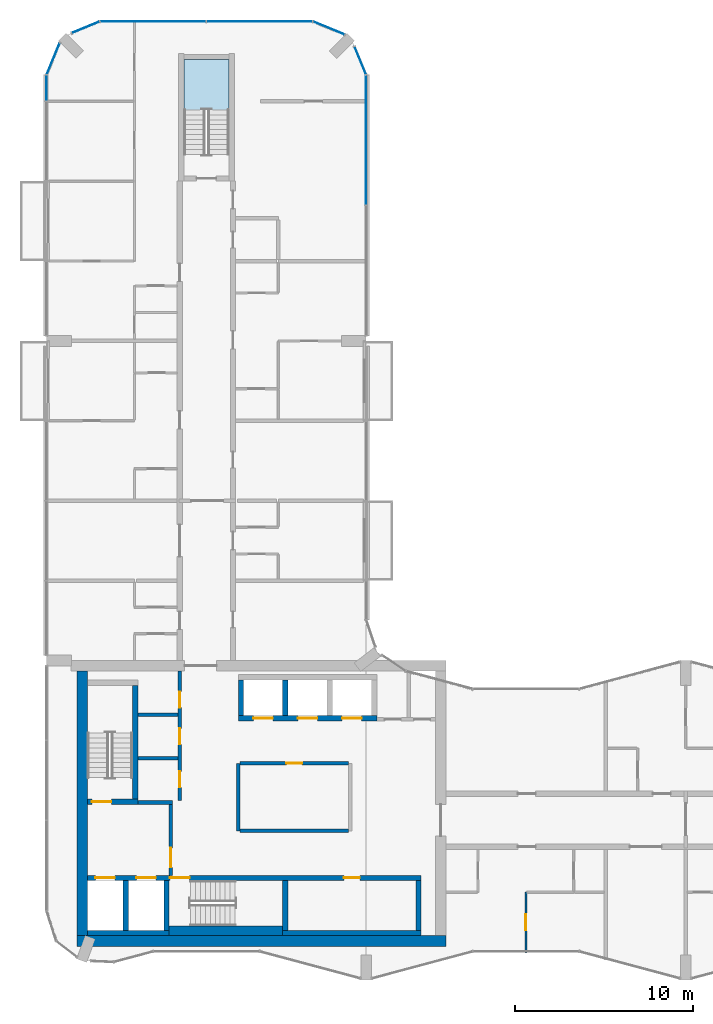
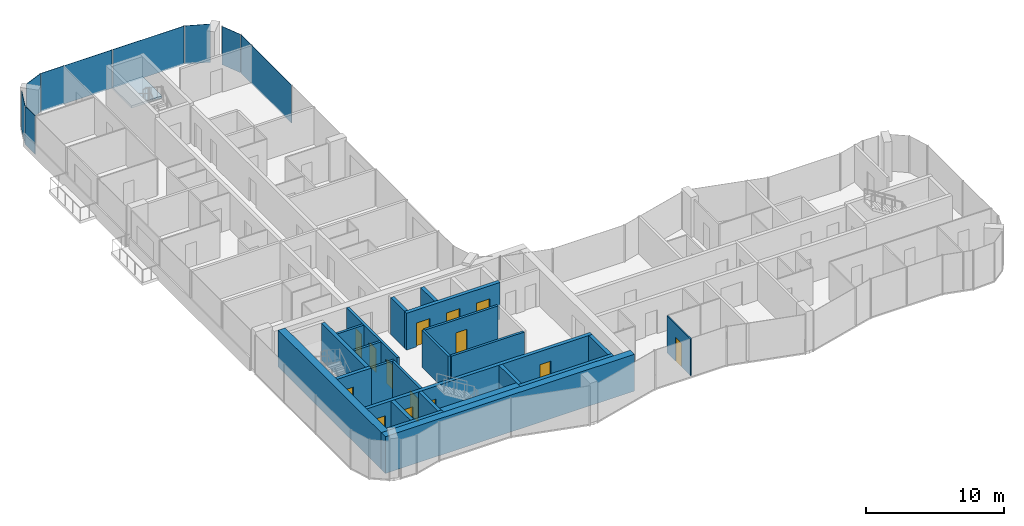
# One storey, part 9 of 15: 24 walls, 14 doors, 8 plates, 1 slab, 14 openings, 8 elements without a shape of their own.
"""IFC4 building model written with IfcOpenShell, lengths in metres."""

from ifc_helpers import new_model, si_unit, direction, frame, frame_2d, origin, origin_2d, place, context, subcontext, project, spatial, polyline, rectangle, outline, extrude, material, layer, layer_set, type_object, element, fill, aggregate, save


model = new_model("IFC4")

# Units and contexts
model_context = context("Model", 3, precision=1e-05, world=origin(), true_north=direction((0.0, 1.0)))
body_context = subcontext(model_context, "Body", "Model", "MODEL_VIEW")
ifc_project = project(units=[si_unit("LENGTHUNIT", "METRE"), si_unit("AREAUNIT", "SQUARE_METRE"), si_unit("VOLUMEUNIT", "CUBIC_METRE"), si_unit("PLANEANGLEUNIT", "RADIAN"), si_unit("MASSUNIT", "GRAM", prefix="KILO")], contexts=[model_context])

# Site, building, storey
site_placement = place(None, origin())
site = spatial("IfcSite", under=ifc_project, at=site_placement, CompositionType="ELEMENT")
building_placement = place(site_placement, origin())
building = spatial("IfcBuilding", under=site, at=building_placement, Name="Plateau Cross Towers", CompositionType="ELEMENT")
storey_placement = place(building_placement, frame((0.0, 0.0, 153.39990234375)))
storey = spatial("IfcBuildingStorey", under=building, at=storey_placement, Name="L39", CompositionType="ELEMENT", Elevation=153.39990234375)

# Curtain wall, plate
ifc_material_1 = material(Name="Dark low-iron glass", Category="glass")
ifc_layer_1 = layer(ifc_material_1, 0.239990234375)
ifc_layer_set_1 = layer_set([ifc_layer_1], Name="Dark low-iron glass")
curtain_wall_type = type_object("IfcCurtainWallType", Name="Curtain wall flush unitised CW-B", PredefinedType="NOTDEFINED", material=ifc_layer_set_1)
curtain_wall_1_placement = place(storey_placement, origin())
curtain_wall_1 = element("IfcCurtainWall", 1, at=curtain_wall_1_placement, inside=storey, type_object=curtain_wall_type, Name="ENV/A/L39/A180_363", PredefinedType="NOTDEFINED")
ifc_layer_2 = layer(ifc_material_1, 0.031982421875)
ifc_layer_set_2 = layer_set([ifc_layer_2], Name="Dark low-iron glass")
plate_type = type_object("IfcPlateType", Name="Glass panel 32 flush unitised", PredefinedType="CURTAIN_PANEL", material=ifc_layer_set_2)
plate_1_placement = place(storey_placement, frame((18.0, 47.324951171875, -0.1298828125), z_axis=(0.0, 0.0, 1.0), x_axis=(0.0, 1.0, 0.0)))
plate_1 = element("IfcPlate", 2, at=plate_1_placement, type_object=plate_type, Name="CW-B panel 2", PredefinedType="CURTAIN_PANEL", context=body_context, shape_type="SweptSolid", body=[
    extrude(rectangle(XDim=7.2900390625, YDim=0.031982421875, at=origin_2d()), origin(), (0.0, 0.0, 1.0), 3.3798828125),
])
aggregate(curtain_wall_1, [plate_1])

curtain_wall_2_placement = place(storey_placement, origin())
curtain_wall_2 = element("IfcCurtainWall", 3, at=curtain_wall_2_placement, inside=storey, type_object=curtain_wall_type, Name="ENV/A/L39/A180_510", PredefinedType="NOTDEFINED")
plate_2_placement = place(storey_placement, frame((17.66943359375, 51.79833984375, -0.1298828125), z_axis=(0.0, 0.0, 1.0), x_axis=(-0.382683612978, 0.923879457699, 0.0)))
plate_2 = element("IfcPlate", 4, at=plate_2_placement, type_object=plate_type, Name="CW-B panel 1", PredefinedType="CURTAIN_PANEL", context=body_context, shape_type="SweptSolid", body=[
    extrude(rectangle(XDim=1.668212890625, YDim=0.031982421875, at=origin_2d()), origin(), (0.0, 0.0, 1.0), 3.3798828125),
])
aggregate(curtain_wall_2, [plate_2])

curtain_wall_3_placement = place(storey_placement, origin())
curtain_wall_3 = element("IfcCurtainWall", 5, at=curtain_wall_3_placement, inside=storey, type_object=curtain_wall_type, Name="ENV/A/L39/A168_533", PredefinedType="NOTDEFINED")
plate_3_placement = place(storey_placement, frame((15.90283203125, 53.6259765625, -0.1298828125), z_axis=(0.0, 0.0, 1.0), x_axis=(-0.923879457699, 0.382683612978, 0.0)))
plate_3 = element("IfcPlate", 6, at=plate_3_placement, type_object=plate_type, Name="CW-B panel 1", PredefinedType="CURTAIN_PANEL", context=body_context, shape_type="SweptSolid", body=[
    extrude(rectangle(XDim=1.894775390625, YDim=0.031982421875, at=origin_2d()), origin(), (0.0, 0.0, 1.0), 3.3798828125),
])
aggregate(curtain_wall_3, [plate_3])

# Curtain wall, plates
curtain_wall_4_placement = place(storey_placement, origin())
curtain_wall_4 = element("IfcCurtainWall", 7, at=curtain_wall_4_placement, inside=storey, type_object=curtain_wall_type, Name="ENV/A/L39/A150_540", PredefinedType="NOTDEFINED")
plate_4_placement = place(storey_placement, frame((12.0, 54.0, -0.1298828125), z_axis=(0.0, 0.0, 1.0), x_axis=(-1.0, 0.0, 0.0)))
plate_4 = element("IfcPlate", 8, at=plate_4_placement, type_object=plate_type, Name="CW-B panel 1", PredefinedType="CURTAIN_PANEL", context=body_context, shape_type="SweptSolid", body=[
    extrude(rectangle(XDim=5.93994140625, YDim=0.031982421875, at=origin_2d()), origin(), (0.0, 0.0, 1.0), 3.3798828125),
])
plate_5_placement = place(storey_placement, frame((6.0, 54.0, -0.1298828125), z_axis=(0.0, 0.0, 1.0), x_axis=(-1.0, 0.0, 0.0)))
plate_5 = element("IfcPlate", 9, at=plate_5_placement, type_object=plate_type, Name="CW-B panel 2", PredefinedType="CURTAIN_PANEL", context=body_context, shape_type="SweptSolid", body=[
    extrude(rectangle(XDim=5.93994140625, YDim=0.031982421875, at=origin_2d()), origin(), (0.0, 0.0, 1.0), 3.3798828125),
])
aggregate(curtain_wall_4, [plate_4, plate_5])

# Curtain wall, plate
curtain_wall_5_placement = place(storey_placement, origin())
curtain_wall_5 = element("IfcCurtainWall", 10, at=curtain_wall_5_placement, inside=storey, type_object=curtain_wall_type, Name="ENV/A/L39/A30_540", PredefinedType="NOTDEFINED")
plate_6_placement = place(storey_placement, frame((2.20166015625, 53.66943359375, -0.1298828125), z_axis=(0.0, 0.0, 1.0), x_axis=(-0.923879457699, -0.382683612978, 0.0)))
plate_6 = element("IfcPlate", 11, at=plate_6_placement, type_object=plate_type, Name="CW-B panel 1", PredefinedType="CURTAIN_PANEL", context=body_context, shape_type="SweptSolid", body=[
    extrude(rectangle(XDim=1.668212890625, YDim=0.031982421875, at=origin_2d()), origin(), (0.0, 0.0, 1.0), 3.3798828125),
])
aggregate(curtain_wall_5, [plate_6])

curtain_wall_6_placement = place(storey_placement, origin())
curtain_wall_6 = element("IfcCurtainWall", 12, at=curtain_wall_6_placement, inside=storey, type_object=curtain_wall_type, Name="ENV/A/L39/A7_528", PredefinedType="NOTDEFINED")
plate_7_placement = place(storey_placement, frame((0.3740234375, 51.90283203125, -0.1298828125), z_axis=(0.0, 0.0, 1.0), x_axis=(-0.382683612978, -0.923879457699, 0.0)))
plate_7 = element("IfcPlate", 13, at=plate_7_placement, type_object=plate_type, Name="CW-B panel 1", PredefinedType="CURTAIN_PANEL", context=body_context, shape_type="SweptSolid", body=[
    extrude(rectangle(XDim=1.894775390625, YDim=0.031982421875, at=origin_2d()), origin(), (0.0, 0.0, 1.0), 3.3798828125),
])
aggregate(curtain_wall_6, [plate_7])

curtain_wall_7_placement = place(storey_placement, origin())
curtain_wall_7 = element("IfcCurtainWall", 14, at=curtain_wall_7_placement, inside=storey, type_object=curtain_wall_type, Name="ENV/A/L39/A0_510", PredefinedType="NOTDEFINED")
plate_8_placement = place(storey_placement, frame((0.0, 50.25, -0.1298828125), z_axis=(0.0, 0.0, 1.0), x_axis=(0.0, -1.0, 0.0)))
plate_8 = element("IfcPlate", 15, at=plate_8_placement, type_object=plate_type, Name="CW-B panel 1", PredefinedType="CURTAIN_PANEL", context=body_context, shape_type="SweptSolid", body=[
    extrude(rectangle(XDim=1.43994140625, YDim=0.031982421875, at=origin_2d()), origin(), (0.0, 0.0, 1.0), 3.3798828125),
])
aggregate(curtain_wall_7, [plate_8])

# Stair, slab
ifc_material_2 = material(Name="Concrete C40/50", Category="concrete")
stair_type = type_object("IfcStairType", Name="ST-TWR", PredefinedType="HALF_TURN_STAIR", material=ifc_material_2)
stair_placement = place(storey_placement, origin())
stair = element("IfcStair", 16, at=stair_placement, inside=storey, type_object=stair_type, Name="L39 Protected Exit Stair N", PredefinedType="HALF_TURN_STAIR")
ifc_layer_3 = layer(ifc_material_2, 0.199951171875)
ifc_layer_set_3 = layer_set([ifc_layer_3], Name="Concrete C40/50")
slab_type = type_object("IfcSlabType", Name="SL-LANDING", PredefinedType="LANDING", material=ifc_layer_set_3)
slab_placement = place(storey_placement, frame((0.0, 0.0, 1.550048828125)))
slab = element("IfcSlab", 17, at=slab_placement, type_object=slab_type, Name="ES-N landing 1", PredefinedType="LANDING", context=body_context, shape_type="SweptSolid", body=[
    extrude(outline(polyline([(10.27490234375, 49.02001953125), (10.27490234375, 51.85009765625), (7.72509765625, 51.85009765625), (7.72509765625, 49.02001953125), (10.27490234375, 49.02001953125)])), origin(), (0.0, 0.0, 1.0), 0.199951171875),
])
aggregate(stair, [slab])

# Wall, opening, door
ifc_material_3 = material(Name="Concrete block, plastered both sides", Category="concrete")
ifc_layer_4 = layer(ifc_material_3, 0.199951171875)
ifc_layer_set_4 = layer_set([ifc_layer_4], Name="Concrete block, plastered both sides")
wall_type_1 = type_object("IfcWallType", Name="Core partition 200", PredefinedType="PARTITIONING", material=ifc_layer_set_4)
wall_1_placement = place(storey_placement, frame((7.0, 5.89990234375, 0.0), z_axis=(0.0, 0.0, 1.0), x_axis=(0.0, 1.0, 0.0)))
wall_1 = element("IfcWall", 18, at=wall_1_placement, inside=storey, type_object=wall_type_1, Name="Core partition", PredefinedType="PARTITIONING", context=body_context, shape_type="SweptSolid", body=[
    extrude(rectangle(XDim=4.0, YDim=0.199951171875, at=frame_2d((2.0, 0.0))), origin(), (0.0, 0.0, 1.0), 3.25),
])
opening_1_placement = place(wall_1_placement, frame((0.449951171875, 0.0, 0.0)))
opening_1 = element("IfcOpeningElement", 19, at=opening_1_placement, cuts=wall_1, Name="Opening FFD", PredefinedType="OPENING", context=body_context, shape_type="SweptSolid", body=[
    extrude(rectangle(XDim=1.10009765625, YDim=2.10009765625, at=frame_2d((0.550048828125, 1.050048828125))), frame((0.0, 0.10986328125, 0.0), z_axis=(0.0, -1.0, 0.0), x_axis=(1.0, 0.0, 0.0)), (0.0, 0.0, 1.0), 0.219970703125),
])
ifc_material_4 = material(Name="Steel, fire-resisting leaf", Category="steel")
door_type_1 = type_object("IfcDoorType", Name="Firefighting lobby door 1100", OperationType="NOTDEFINED", PredefinedType="DOOR", material=ifc_material_4)
door_1_placement = place(opening_1_placement, origin())
door_1 = element("IfcDoor", 20, at=door_1_placement, inside=storey, type_object=door_type_1, Name="Firefighting lobby door FFD", OperationType="SINGLE_SWING_LEFT", OverallHeight=2.10009765625, OverallWidth=1.10009765625, PredefinedType="DOOR", context=body_context, shape_type="SweptSolid", body=[
    extrude(rectangle(XDim=1.10009765625, YDim=2.10009765625, at=frame_2d((0.550048828125, 1.050048828125))), frame((0.0, 0.02490234375, 0.0), z_axis=(0.0, -1.0, 0.0), x_axis=(1.0, 0.0, 0.0)), (0.0, 0.0, 1.0), 0.050048828125),
])
fill(opening_1, door_1)

# Walls
wall_2_placement = place(storey_placement, frame((5.14990234375, 10.0, 0.0), z_axis=(0.0, 0.0, 1.0), x_axis=(1.0, 0.0, 0.0)))
element("IfcWall", 21, at=wall_2_placement, inside=storey, type_object=wall_type_1, Name="Core partition", PredefinedType="PARTITIONING", context=body_context, shape_type="SweptSolid", body=[
    extrude(rectangle(XDim=1.9501953125, YDim=0.199951171875, at=frame_2d((0.97509765625, 0.0))), origin(), (0.0, 0.0, 1.0), 3.25),
])
wall_3_placement = place(storey_placement, frame((10.800048828125, 8.39990234375, 0.0), z_axis=(0.0, 0.0, 1.0), x_axis=(0.0, 1.0, 0.0)))
element("IfcWall", 22, at=wall_3_placement, inside=storey, type_object=wall_type_1, Name="Core partition", PredefinedType="PARTITIONING", context=body_context, shape_type="SweptSolid", body=[
    extrude(rectangle(XDim=3.800048828125, YDim=0.199951171875, at=frame_2d((1.89990234375, 0.0))), origin(), (0.0, 0.0, 1.0), 3.25),
])
wall_4_placement = place(storey_placement, frame((10.89990234375, 8.39990234375, 0.0), z_axis=(0.0, 0.0, 1.0), x_axis=(1.0, 0.0, 0.0)))
element("IfcWall", 23, at=wall_4_placement, inside=storey, type_object=wall_type_1, Name="Core partition", PredefinedType="PARTITIONING", context=body_context, shape_type="SweptSolid", body=[
    extrude(rectangle(XDim=6.10009765625, YDim=0.199951171875, at=frame_2d((3.050048828125, 0.0))), origin(), (0.0, 0.0, 1.0), 3.25),
])

# Wall, opening, door
wall_5_placement = place(storey_placement, frame((10.89990234375, 12.199951171875, 0.0), z_axis=(0.0, 0.0, 1.0), x_axis=(1.0, 0.0, 0.0)))
wall_5 = element("IfcWall", 24, at=wall_5_placement, inside=storey, type_object=wall_type_1, Name="Core partition", PredefinedType="PARTITIONING", context=body_context, shape_type="SweptSolid", body=[
    extrude(rectangle(XDim=6.10009765625, YDim=0.199951171875, at=frame_2d((3.050048828125, 0.0))), origin(), (0.0, 0.0, 1.0), 3.25),
])
opening_2_placement = place(wall_5_placement, frame((2.60009765625, 0.0, 0.0)))
opening_2 = element("IfcOpeningElement", 25, at=opening_2_placement, cuts=wall_5, Name="Opening RD1", PredefinedType="OPENING", context=body_context, shape_type="SweptSolid", body=[
    extrude(rectangle(XDim=0.89990234375, YDim=2.10009765625, at=frame_2d((0.449951171875, 1.050048828125))), frame((0.0, 0.10986328125, 0.0), z_axis=(0.0, -1.0, 0.0), x_axis=(1.0, 0.0, 0.0)), (0.0, 0.0, 1.0), 0.219970703125),
])
ifc_material_5 = material(Name="Timber, fire-resisting leaf", Category="wood")
door_type_2 = type_object("IfcDoorType", Name="Core service door 900", OperationType="NOTDEFINED", PredefinedType="DOOR", material=ifc_material_5)
door_2_placement = place(opening_2_placement, origin())
door_2 = element("IfcDoor", 26, at=door_2_placement, inside=storey, type_object=door_type_2, Name="Core service door RD1", OperationType="SINGLE_SWING_LEFT", OverallHeight=2.10009765625, OverallWidth=0.89990234375, PredefinedType="DOOR", context=body_context, shape_type="SweptSolid", body=[
    extrude(rectangle(XDim=0.89990234375, YDim=2.10009765625, at=frame_2d((0.449951171875, 1.050048828125))), frame((0.0, 0.02490234375, 0.0), z_axis=(0.0, -1.0, 0.0), x_axis=(1.0, 0.0, 0.0)), (0.0, 0.0, 1.0), 0.050048828125),
])
fill(opening_2, door_2)

# Wall, openings, doors
wall_6_placement = place(storey_placement, frame((7.5, 10.10009765625, 0.0), z_axis=(0.0, 0.0, 1.0), x_axis=(0.0, 1.0, 0.0)))
wall_6 = element("IfcWall", 27, at=wall_6_placement, inside=storey, type_object=wall_type_1, Name="Core partition", PredefinedType="PARTITIONING", context=body_context, shape_type="SweptSolid", body=[
    extrude(rectangle(XDim=7.2998046875, YDim=0.199951171875, at=frame_2d((3.64990234375, 0.0))), origin(), (0.0, 0.0, 1.0), 3.25),
])
opening_3_placement = place(wall_6_placement, frame((0.75, 0.0, 0.0)))
opening_3 = element("IfcOpeningElement", 28, at=opening_3_placement, cuts=wall_6, Name="Opening RD1", PredefinedType="OPENING", context=body_context, shape_type="SweptSolid", body=[
    extrude(rectangle(XDim=0.89990234375, YDim=2.10009765625, at=frame_2d((0.449951171875, 1.050048828125))), frame((0.0, 0.10986328125, 0.0), z_axis=(0.0, -1.0, 0.0), x_axis=(1.0, 0.0, 0.0)), (0.0, 0.0, 1.0), 0.219970703125),
])
opening_4_placement = place(wall_6_placement, frame((3.175048828125, 0.0, 0.0)))
opening_4 = element("IfcOpeningElement", 29, at=opening_4_placement, cuts=wall_6, Name="Opening RD1", PredefinedType="OPENING", context=body_context, shape_type="SweptSolid", body=[
    extrude(rectangle(XDim=0.89990234375, YDim=2.10009765625, at=frame_2d((0.449951171875, 1.050048828125))), frame((0.0, 0.10986328125, 0.0), z_axis=(0.0, -1.0, 0.0), x_axis=(1.0, 0.0, 0.0)), (0.0, 0.0, 1.0), 0.219970703125),
])
opening_5_placement = place(wall_6_placement, frame((5.25, 0.0, 0.0)))
opening_5 = element("IfcOpeningElement", 30, at=opening_5_placement, cuts=wall_6, Name="Opening RD1", PredefinedType="OPENING", context=body_context, shape_type="SweptSolid", body=[
    extrude(rectangle(XDim=0.89990234375, YDim=2.10009765625, at=frame_2d((0.449951171875, 1.050048828125))), frame((0.0, 0.10986328125, 0.0), z_axis=(0.0, -1.0, 0.0), x_axis=(1.0, 0.0, 0.0)), (0.0, 0.0, 1.0), 0.219970703125),
])
door_3_placement = place(opening_3_placement, origin())
door_3 = element("IfcDoor", 31, at=door_3_placement, inside=storey, type_object=door_type_2, Name="Core service door RD1", OperationType="SINGLE_SWING_RIGHT", OverallHeight=2.10009765625, OverallWidth=0.89990234375, PredefinedType="DOOR", context=body_context, shape_type="SweptSolid", body=[
    extrude(rectangle(XDim=0.89990234375, YDim=2.10009765625, at=frame_2d((0.449951171875, 1.050048828125))), frame((0.0, 0.02490234375, 0.0), z_axis=(0.0, -1.0, 0.0), x_axis=(1.0, 0.0, 0.0)), (0.0, 0.0, 1.0), 0.050048828125),
])
fill(opening_3, door_3)
door_4_placement = place(opening_4_placement, origin())
door_4 = element("IfcDoor", 32, at=door_4_placement, inside=storey, type_object=door_type_2, Name="Core service door RD1", OperationType="SINGLE_SWING_RIGHT", OverallHeight=2.10009765625, OverallWidth=0.89990234375, PredefinedType="DOOR", context=body_context, shape_type="SweptSolid", body=[
    extrude(rectangle(XDim=0.89990234375, YDim=2.10009765625, at=frame_2d((0.449951171875, 1.050048828125))), frame((0.0, 0.02490234375, 0.0), z_axis=(0.0, -1.0, 0.0), x_axis=(1.0, 0.0, 0.0)), (0.0, 0.0, 1.0), 0.050048828125),
])
fill(opening_4, door_4)
door_5_placement = place(opening_5_placement, origin())
door_5 = element("IfcDoor", 33, at=door_5_placement, inside=storey, type_object=door_type_2, Name="Core service door RD1", OperationType="SINGLE_SWING_RIGHT", OverallHeight=2.10009765625, OverallWidth=0.89990234375, PredefinedType="DOOR", context=body_context, shape_type="SweptSolid", body=[
    extrude(rectangle(XDim=0.89990234375, YDim=2.10009765625, at=frame_2d((0.449951171875, 1.050048828125))), frame((0.0, 0.02490234375, 0.0), z_axis=(0.0, -1.0, 0.0), x_axis=(1.0, 0.0, 0.0)), (0.0, 0.0, 1.0), 0.050048828125),
])
fill(opening_5, door_5)

# Walls
for number, where, z_axis, x_axis, name in (
    (34, (5.14990234375, 12.5, 0.0), (0.0, 0.0, 1.0), (1.0, 0.0, 0.0), "Core partition"),
    (35, (5.14990234375, 14.949951171875, 0.0), (0.0, 0.0, 1.0), (1.0, 0.0, 0.0), "Core partition"),
):
    element("IfcWall", number, at=place(storey_placement, frame(where, z_axis=z_axis, x_axis=x_axis)), inside=storey, type_object=wall_type_1, Name=name, PredefinedType="PARTITIONING", context=body_context, shape_type="SweptSolid", body=[
        extrude(rectangle(XDim=2.25, YDim=0.199951171875, at=frame_2d((1.125, 0.0))), origin(), (0.0, 0.0, 1.0), 3.25),
    ])
ifc_material_6 = material(Name="Concrete C60/75", Category="concrete")
ifc_layer_5 = layer(ifc_material_6, 0.300048828125)
ifc_layer_set_5 = layer_set([ifc_layer_5], Name="Concrete C60/75")
wall_type_2 = type_object("IfcWallType", Name="Core shaft wall 300", PredefinedType="SHEAR", material=ifc_layer_set_5)
wall_7_placement = place(storey_placement, frame((2.300048828125, 2.64990234375, 0.0), z_axis=(0.0, 0.0, 1.0), x_axis=(1.0, 0.0, 0.0)))
element("IfcWall", 36, at=wall_7_placement, inside=storey, type_object=wall_type_2, Name="A-sb-back1@L39", PredefinedType="SHEAR", context=body_context, shape_type="SweptSolid", body=[
    extrude(rectangle(XDim=4.599853515625, YDim=0.300048828125, at=frame_2d((2.2998046875, 0.0))), origin(), (0.0, 0.0, 1.0), 3.25),
])
wall_8_placement = place(storey_placement, frame((13.300048828125, 2.64990234375, 0.0), z_axis=(0.0, 0.0, 1.0), x_axis=(1.0, 0.0, 0.0)))
element("IfcWall", 37, at=wall_8_placement, inside=storey, type_object=wall_type_2, Name="A-sb-back3@L39", PredefinedType="SHEAR", context=body_context, shape_type="SweptSolid", body=[
    extrude(rectangle(XDim=7.800048828125, YDim=0.300048828125, at=frame_2d((3.89990234375, 0.0))), origin(), (0.0, 0.0, 1.0), 3.25),
])
for number, where, z_axis, x_axis, name in (
    (38, (4.449951171875, 2.800048828125, 0.0), (0.0, 0.0, 1.0), (0.0, 1.0, 0.0), "A-sb-v1@L39"),
    (39, (6.75, 2.800048828125, 0.0), (0.0, 0.0, 1.0), (0.0, 1.0, 0.0), "A-sb-v2@L39"),
    (40, (13.449951171875, 2.800048828125, 0.0), (0.0, 0.0, 1.0), (0.0, 1.0, 0.0), "A-sb-v3@L39"),
    (41, (20.949951171875, 2.800048828125, 0.0), (0.0, 0.0, 1.0), (0.0, 1.0, 0.0), "A-sb-v6@L39"),
):
    element("IfcWall", number, at=place(storey_placement, frame(where, z_axis=z_axis, x_axis=x_axis)), inside=storey, type_object=wall_type_2, Name=name, PredefinedType="SHEAR", context=body_context, shape_type="SweptSolid", body=[
        extrude(rectangle(XDim=2.800048828125, YDim=0.300048828125, at=frame_2d((1.39990234375, 0.0))), origin(), (0.0, 0.0, 1.0), 3.25),
    ])

# Wall, openings, doors
wall_9_placement = place(storey_placement, frame((2.300048828125, 5.75, 0.0), z_axis=(0.0, 0.0, 1.0), x_axis=(1.0, 0.0, 0.0)))
wall_9 = element("IfcWall", 42, at=wall_9_placement, inside=storey, type_object=wall_type_2, Name="A-sb-front@L39", PredefinedType="SHEAR", context=body_context, shape_type="SweptSolid", body=[
    extrude(rectangle(XDim=18.800048828125, YDim=0.300048828125, at=frame_2d((9.39990234375, 0.0))), origin(), (0.0, 0.0, 1.0), 3.25),
])
opening_6_placement = place(wall_9_placement, frame((4.64990234375, 0.0, 0.0)))
opening_6 = element("IfcOpeningElement", 43, at=opening_6_placement, cuts=wall_9, Name="Opening SD", PredefinedType="OPENING", context=body_context, shape_type="SweptSolid", body=[
    extrude(rectangle(XDim=1.10009765625, YDim=2.10009765625, at=frame_2d((0.550048828125, 1.050048828125))), frame((0.0, 0.159912109375, 0.0), z_axis=(0.0, -1.0, 0.0), x_axis=(1.0, 0.0, 0.0)), (0.0, 0.0, 1.0), 0.320068359375),
])
opening_7_placement = place(wall_9_placement, frame((0.449951171875, 0.0, 0.0)))
opening_7 = element("IfcOpeningElement", 44, at=opening_7_placement, cuts=wall_9, Name="Opening LD", PredefinedType="OPENING", context=body_context, shape_type="SweptSolid", body=[
    extrude(rectangle(XDim=1.10009765625, YDim=2.10009765625, at=frame_2d((0.550048828125, 1.050048828125))), frame((0.0, 0.159912109375, 0.0), z_axis=(0.0, -1.0, 0.0), x_axis=(1.0, 0.0, 0.0)), (0.0, 0.0, 1.0), 0.320068359375),
])
opening_8_placement = place(wall_9_placement, frame((2.75, 0.0, 0.0)))
opening_8 = element("IfcOpeningElement", 45, at=opening_8_placement, cuts=wall_9, Name="Opening LD", PredefinedType="OPENING", context=body_context, shape_type="SweptSolid", body=[
    extrude(rectangle(XDim=1.10009765625, YDim=2.10009765625, at=frame_2d((0.550048828125, 1.050048828125))), frame((0.0, 0.159912109375, 0.0), z_axis=(0.0, -1.0, 0.0), x_axis=(1.0, 0.0, 0.0)), (0.0, 0.0, 1.0), 0.320068359375),
])
opening_9_placement = place(wall_9_placement, frame((14.449951171875, 0.0, 0.0)))
opening_9 = element("IfcOpeningElement", 46, at=opening_9_placement, cuts=wall_9, Name="Opening RD2", PredefinedType="OPENING", context=body_context, shape_type="SweptSolid", body=[
    extrude(rectangle(XDim=0.89990234375, YDim=2.10009765625, at=frame_2d((0.449951171875, 1.050048828125))), frame((0.0, 0.159912109375, 0.0), z_axis=(0.0, -1.0, 0.0), x_axis=(1.0, 0.0, 0.0)), (0.0, 0.0, 1.0), 0.320068359375),
])
door_type_3 = type_object("IfcDoorType", Name="Core riser door 900", OperationType="NOTDEFINED", PredefinedType="DOOR", material=ifc_material_4)
door_6_placement = place(opening_9_placement, origin())
door_6 = element("IfcDoor", 47, at=door_6_placement, inside=storey, type_object=door_type_3, Name="Core riser door RD2", OperationType="SINGLE_SWING_LEFT", OverallHeight=2.10009765625, OverallWidth=0.89990234375, PredefinedType="DOOR", context=body_context, shape_type="SweptSolid", body=[
    extrude(rectangle(XDim=0.89990234375, YDim=2.10009765625, at=frame_2d((0.449951171875, 1.050048828125))), frame((0.0, 0.02490234375, 0.0), z_axis=(0.0, -1.0, 0.0), x_axis=(1.0, 0.0, 0.0)), (0.0, 0.0, 1.0), 0.050048828125),
])
fill(opening_9, door_6)
ifc_material_7 = material(Name="Stainless steel, fire-resisting sliding leaves", Category="steel")
door_type_4 = type_object("IfcDoorType", Name="Lift landing door 1100", OperationType="NOTDEFINED", PredefinedType="DOOR", material=ifc_material_7)
door_7_placement = place(opening_7_placement, origin())
door_7 = element("IfcDoor", 48, at=door_7_placement, inside=storey, type_object=door_type_4, Name="Lift landing door LD", OperationType="DOUBLE_DOOR_SLIDING", OverallHeight=2.10009765625, OverallWidth=1.10009765625, PredefinedType="DOOR", context=body_context, shape_type="SweptSolid", body=[
    extrude(rectangle(XDim=1.10009765625, YDim=2.10009765625, at=frame_2d((0.550048828125, 1.050048828125))), frame((0.0, 0.02490234375, 0.0), z_axis=(0.0, -1.0, 0.0), x_axis=(1.0, 0.0, 0.0)), (0.0, 0.0, 1.0), 0.050048828125),
])
fill(opening_7, door_7)
door_8_placement = place(opening_8_placement, origin())
door_8 = element("IfcDoor", 49, at=door_8_placement, inside=storey, type_object=door_type_4, Name="Lift landing door LD", OperationType="DOUBLE_DOOR_SLIDING", OverallHeight=2.10009765625, OverallWidth=1.10009765625, PredefinedType="DOOR", context=body_context, shape_type="SweptSolid", body=[
    extrude(rectangle(XDim=1.10009765625, YDim=2.10009765625, at=frame_2d((0.550048828125, 1.050048828125))), frame((0.0, 0.02490234375, 0.0), z_axis=(0.0, -1.0, 0.0), x_axis=(1.0, 0.0, 0.0)), (0.0, 0.0, 1.0), 0.050048828125),
])
fill(opening_8, door_8)
door_type_5 = type_object("IfcDoorType", Name="Stair door 1100", OperationType="NOTDEFINED", PredefinedType="DOOR", material=ifc_material_4)
door_9_placement = place(opening_6_placement, origin())
door_9 = element("IfcDoor", 50, at=door_9_placement, inside=storey, type_object=door_type_5, Name="Stair door SD", OperationType="SINGLE_SWING_LEFT", OverallHeight=2.10009765625, OverallWidth=1.10009765625, PredefinedType="DOOR", context=body_context, shape_type="SweptSolid", body=[
    extrude(rectangle(XDim=1.10009765625, YDim=2.10009765625, at=frame_2d((0.550048828125, 1.050048828125))), frame((0.0, 0.02490234375, 0.0), z_axis=(0.0, -1.0, 0.0), x_axis=(1.0, 0.0, 0.0)), (0.0, 0.0, 1.0), 0.050048828125),
])
fill(opening_6, door_9)

# Wall, opening, door
wall_10_placement = place(storey_placement, frame((2.300048828125, 10.050048828125, 0.0), z_axis=(0.0, 0.0, 1.0), x_axis=(1.0, 0.0, 0.0)))
wall_10 = element("IfcWall", 51, at=wall_10_placement, inside=storey, type_object=wall_type_2, Name="A-st1-S@L39", PredefinedType="SHEAR", context=body_context, shape_type="SweptSolid", body=[
    extrude(rectangle(XDim=2.849853515625, YDim=0.300048828125, at=frame_2d((1.4248046875, 0.0))), origin(), (0.0, 0.0, 1.0), 3.25),
])
opening_10_placement = place(wall_10_placement, frame((0.25, 0.0, 0.0)))
opening_10 = element("IfcOpeningElement", 52, at=opening_10_placement, cuts=wall_10, Name="Opening SD", PredefinedType="OPENING", context=body_context, shape_type="SweptSolid", body=[
    extrude(rectangle(XDim=1.10009765625, YDim=2.10009765625, at=frame_2d((0.550048828125, 1.050048828125))), frame((0.0, 0.159912109375, 0.0), z_axis=(0.0, -1.0, 0.0), x_axis=(1.0, 0.0, 0.0)), (0.0, 0.0, 1.0), 0.320068359375),
])
door_10_placement = place(opening_10_placement, origin())
door_10 = element("IfcDoor", 53, at=door_10_placement, inside=storey, type_object=door_type_5, Name="Stair door SD", OperationType="SINGLE_SWING_RIGHT", OverallHeight=2.10009765625, OverallWidth=1.10009765625, PredefinedType="DOOR", context=body_context, shape_type="SweptSolid", body=[
    extrude(rectangle(XDim=1.10009765625, YDim=2.10009765625, at=frame_2d((0.550048828125, 1.050048828125))), frame((0.0, 0.02490234375, 0.0), z_axis=(0.0, -1.0, 0.0), x_axis=(1.0, 0.0, 0.0)), (0.0, 0.0, 1.0), 0.050048828125),
])
fill(opening_10, door_10)

# Wall
wall_11_placement = place(storey_placement, frame((5.0, 10.199951171875, 0.0), z_axis=(0.0, 0.0, 1.0), x_axis=(0.0, 1.0, 0.0)))
element("IfcWall", 54, at=wall_11_placement, inside=storey, type_object=wall_type_2, Name="A-st1-E@L39", PredefinedType="SHEAR", context=body_context, shape_type="SweptSolid", body=[
    extrude(rectangle(XDim=6.400146484375, YDim=0.300048828125, at=frame_2d((3.2001953125, 0.0))), origin(), (0.0, 0.0, 1.0), 3.25),
])

# Wall, openings, doors
wall_12_placement = place(storey_placement, frame((10.800048828125, 14.75, 0.0), z_axis=(0.0, 0.0, 1.0), x_axis=(1.0, 0.0, 0.0)))
wall_12 = element("IfcWall", 55, at=wall_12_placement, inside=storey, type_object=wall_type_2, Name="A-nb-front@L39", PredefinedType="SHEAR", context=body_context, shape_type="SweptSolid", body=[
    extrude(rectangle(XDim=7.800048828125, YDim=0.300048828125, at=frame_2d((3.89990234375, 0.0))), origin(), (0.0, 0.0, 1.0), 3.25),
])
opening_11_placement = place(wall_12_placement, frame((0.85009765625, 0.0, 0.0)))
opening_11 = element("IfcOpeningElement", 56, at=opening_11_placement, cuts=wall_12, Name="Opening LD", PredefinedType="OPENING", context=body_context, shape_type="SweptSolid", body=[
    extrude(rectangle(XDim=1.10009765625, YDim=2.10009765625, at=frame_2d((0.550048828125, 1.050048828125))), frame((0.0, 0.159912109375, 0.0), z_axis=(0.0, -1.0, 0.0), x_axis=(1.0, 0.0, 0.0)), (0.0, 0.0, 1.0), 0.320068359375),
])
opening_12_placement = place(wall_12_placement, frame((3.35009765625, 0.0, 0.0)))
opening_12 = element("IfcOpeningElement", 57, at=opening_12_placement, cuts=wall_12, Name="Opening LD", PredefinedType="OPENING", context=body_context, shape_type="SweptSolid", body=[
    extrude(rectangle(XDim=1.10009765625, YDim=2.10009765625, at=frame_2d((0.550048828125, 1.050048828125))), frame((0.0, 0.159912109375, 0.0), z_axis=(0.0, -1.0, 0.0), x_axis=(1.0, 0.0, 0.0)), (0.0, 0.0, 1.0), 0.320068359375),
])
opening_13_placement = place(wall_12_placement, frame((5.85009765625, 0.0, 0.0)))
opening_13 = element("IfcOpeningElement", 58, at=opening_13_placement, cuts=wall_12, Name="Opening LD", PredefinedType="OPENING", context=body_context, shape_type="SweptSolid", body=[
    extrude(rectangle(XDim=1.10009765625, YDim=2.10009765625, at=frame_2d((0.550048828125, 1.050048828125))), frame((0.0, 0.159912109375, 0.0), z_axis=(0.0, -1.0, 0.0), x_axis=(1.0, 0.0, 0.0)), (0.0, 0.0, 1.0), 0.320068359375),
])
door_11_placement = place(opening_11_placement, origin())
door_11 = element("IfcDoor", 59, at=door_11_placement, inside=storey, type_object=door_type_4, Name="Lift landing door LD", OperationType="DOUBLE_DOOR_SLIDING", OverallHeight=2.10009765625, OverallWidth=1.10009765625, PredefinedType="DOOR", context=body_context, shape_type="SweptSolid", body=[
    extrude(rectangle(XDim=1.10009765625, YDim=2.10009765625, at=frame_2d((0.550048828125, 1.050048828125))), frame((0.0, 0.02490234375, 0.0), z_axis=(0.0, -1.0, 0.0), x_axis=(1.0, 0.0, 0.0)), (0.0, 0.0, 1.0), 0.050048828125),
])
fill(opening_11, door_11)
door_12_placement = place(opening_12_placement, origin())
door_12 = element("IfcDoor", 60, at=door_12_placement, inside=storey, type_object=door_type_4, Name="Lift landing door LD", OperationType="DOUBLE_DOOR_SLIDING", OverallHeight=2.10009765625, OverallWidth=1.10009765625, PredefinedType="DOOR", context=body_context, shape_type="SweptSolid", body=[
    extrude(rectangle(XDim=1.10009765625, YDim=2.10009765625, at=frame_2d((0.550048828125, 1.050048828125))), frame((0.0, 0.02490234375, 0.0), z_axis=(0.0, -1.0, 0.0), x_axis=(1.0, 0.0, 0.0)), (0.0, 0.0, 1.0), 0.050048828125),
])
fill(opening_12, door_12)
door_13_placement = place(opening_13_placement, origin())
door_13 = element("IfcDoor", 61, at=door_13_placement, inside=storey, type_object=door_type_4, Name="Lift landing door LD", OperationType="DOUBLE_DOOR_SLIDING", OverallHeight=2.10009765625, OverallWidth=1.10009765625, PredefinedType="DOOR", context=body_context, shape_type="SweptSolid", body=[
    extrude(rectangle(XDim=1.10009765625, YDim=2.10009765625, at=frame_2d((0.550048828125, 1.050048828125))), frame((0.0, 0.02490234375, 0.0), z_axis=(0.0, -1.0, 0.0), x_axis=(1.0, 0.0, 0.0)), (0.0, 0.0, 1.0), 0.050048828125),
])
fill(opening_13, door_13)

# Walls
for number, where, z_axis, x_axis, name in (
    (62, (10.949951171875, 14.89990234375, 0.0), (0.0, 0.0, 1.0), (0.0, 1.0, 0.0), "A-nb-v1@L39"),
    (63, (13.449951171875, 14.89990234375, 0.0), (0.0, 0.0, 1.0), (0.0, 1.0, 0.0), "A-nb-v2@L39"),
):
    element("IfcWall", number, at=place(storey_placement, frame(where, z_axis=z_axis, x_axis=x_axis)), inside=storey, type_object=wall_type_2, Name=name, PredefinedType="SHEAR", context=body_context, shape_type="SweptSolid", body=[
        extrude(rectangle(XDim=2.0, YDim=0.300048828125, at=frame_2d((1.0, 0.0))), origin(), (0.0, 0.0, 1.0), 3.25),
    ])
ifc_layer_6 = layer(ifc_material_6, 0.550048828125)
ifc_layer_set_6 = layer_set([ifc_layer_6], Name="Concrete C60/75")
wall_type_3 = type_object("IfcWallType", Name="Core shaft wall 550", PredefinedType="SHEAR", material=ifc_layer_set_6)
wall_13_placement = place(storey_placement, frame((6.89990234375, 2.77490234375, 0.0), z_axis=(0.0, 0.0, 1.0), x_axis=(1.0, 0.0, 0.0)))
element("IfcWall", 64, at=wall_13_placement, inside=storey, type_object=wall_type_3, Name="A-sb-back2@L39", PredefinedType="SHEAR", context=body_context, shape_type="SweptSolid", body=[
    extrude(rectangle(XDim=6.400146484375, YDim=0.550048828125, at=frame_2d((3.2001953125, 0.0))), origin(), (0.0, 0.0, 1.0), 3.25),
])
ifc_layer_7 = layer(ifc_material_6, 0.60009765625)
ifc_layer_set_7 = layer_set([ifc_layer_7], Name="Concrete C60/75")
wall_type_4 = type_object("IfcWallType", Name="Core shell wall 600", PredefinedType="SHEAR", material=ifc_layer_set_7)
wall_14_placement = place(storey_placement, frame((1.699951171875, 2.199951171875, 0.0), z_axis=(0.0, 0.0, 1.0), x_axis=(1.0, 0.0, 0.0)))
element("IfcWall", 65, at=wall_14_placement, inside=storey, type_object=wall_type_4, Name="A-core-S@L39", PredefinedType="SHEAR", context=body_context, shape_type="SweptSolid", body=[
    extrude(rectangle(XDim=20.800048828125, YDim=0.60009765625, at=frame_2d((10.39990234375, 0.0))), origin(), (0.0, 0.0, 1.0), 3.25),
])
wall_15_placement = place(storey_placement, frame((2.0, 2.5, 0.0), z_axis=(0.0, 0.0, 1.0), x_axis=(0.0, 1.0, 0.0)))
element("IfcWall", 66, at=wall_15_placement, inside=storey, type_object=wall_type_4, Name="A-core-W@L39", PredefinedType="SHEAR", context=body_context, shape_type="SweptSolid", body=[
    extrude(rectangle(XDim=14.89990234375, YDim=0.60009765625, at=frame_2d((7.449951171875, 0.0))), origin(), (0.0, 0.0, 1.0), 3.25),
])

# Wall, opening, door
ifc_material_8 = material(Name="Gypsum board on steel studs", Category="steel")
ifc_layer_8 = layer(ifc_material_8, 0.10009765625)
ifc_layer_set_8 = layer_set([ifc_layer_8], Name="Gypsum board on steel studs")
wall_type_5 = type_object("IfcWallType", Name="Flat partition 100", PredefinedType="PARTITIONING", material=ifc_layer_set_8)
wall_16_placement = place(storey_placement, frame((27.0, 4.949951171875, 0.0), z_axis=(0.0, 0.0, 1.0), x_axis=(0.0, -1.0, 0.0)))
wall_16 = element("IfcWall", 67, at=wall_16_placement, inside=storey, type_object=wall_type_5, Name="Partition wall", PredefinedType="PARTITIONING", context=body_context, shape_type="SweptSolid", body=[
    extrude(rectangle(XDim=3.423095703125, YDim=0.10009765625, at=frame_2d((1.71142578125, 0.0))), origin(), (0.0, 0.0, 1.0), 3.25),
])
opening_14_placement = place(wall_16_placement, frame((1.25, 0.0, 0.0)))
opening_14 = element("IfcOpeningElement", 68, at=opening_14_placement, cuts=wall_16, Name="Opening 39-24", PredefinedType="OPENING", context=body_context, shape_type="SweptSolid", body=[
    extrude(rectangle(XDim=0.89990234375, YDim=2.10009765625, at=frame_2d((0.449951171875, 1.050048828125))), frame((0.0, 0.06005859375, 0.0), z_axis=(0.0, -1.0, 0.0), x_axis=(1.0, 0.0, 0.0)), (0.0, 0.0, 1.0), 0.1201171875),
])
ifc_material_9 = material(Name="Timber leaf", Category="wood")
door_type_6 = type_object("IfcDoorType", Name="Flat room door 900", OperationType="NOTDEFINED", PredefinedType="DOOR", material=ifc_material_9)
door_14_placement = place(opening_14_placement, origin())
door_14 = element("IfcDoor", 69, at=door_14_placement, inside=storey, type_object=door_type_6, Name="Door 39-24", OperationType="SINGLE_SWING_LEFT", OverallHeight=2.10009765625, OverallWidth=0.89990234375, PredefinedType="DOOR", context=body_context, shape_type="SweptSolid", body=[
    extrude(rectangle(XDim=0.89990234375, YDim=2.10009765625, at=frame_2d((0.449951171875, 1.050048828125))), frame((0.0, 0.02490234375, 0.0), z_axis=(0.0, -1.0, 0.0), x_axis=(1.0, 0.0, 0.0)), (0.0, 0.0, 1.0), 0.050048828125),
])
fill(opening_14, door_14)

save(model, "model.ifc")
